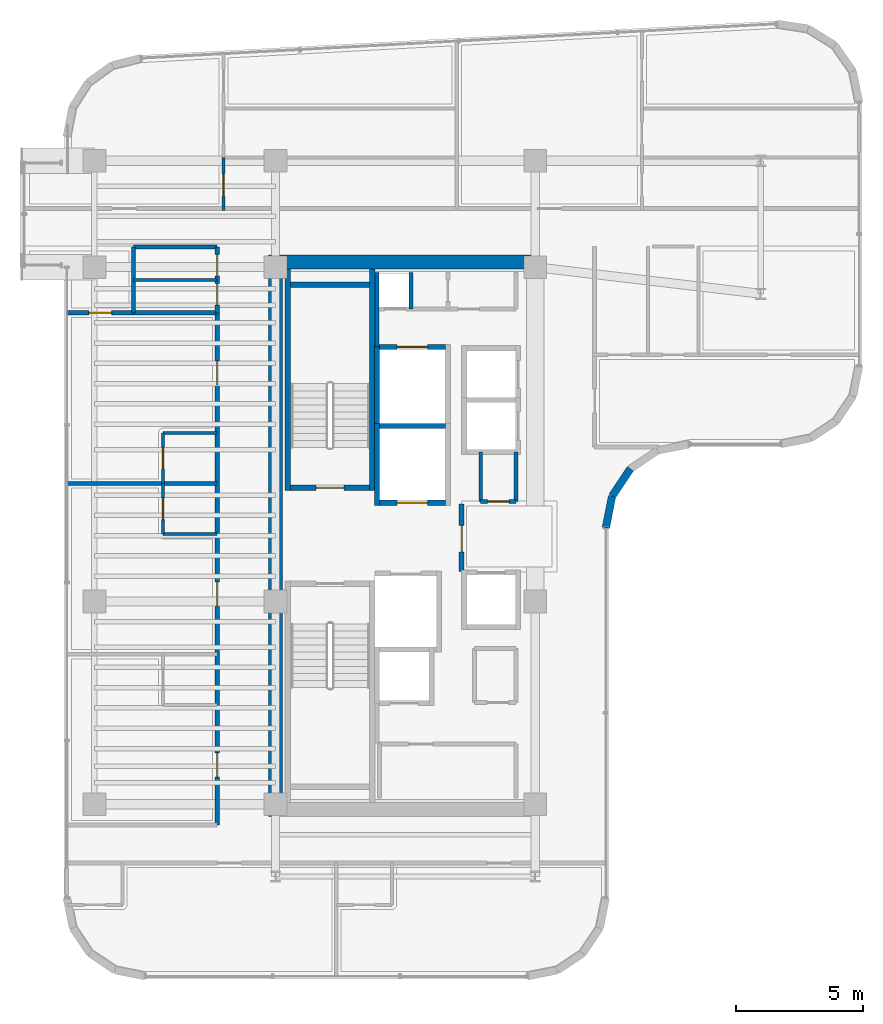
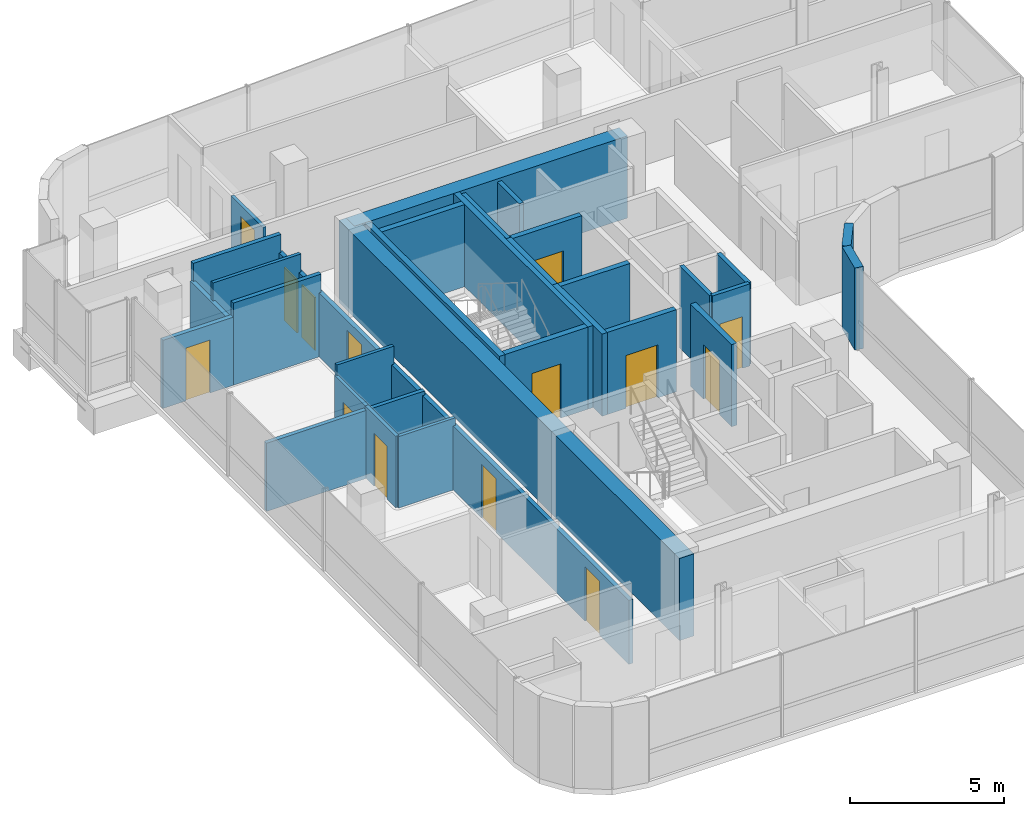
# One storey, part 18 of 23: 32 walls, 14 doors, 14 openings.
"""IFC4 building model written with IfcOpenShell, lengths in metres."""

import ifcopenshell
import ifcopenshell.guid

model = None  # the IFC model being written
_history = None  # IfcOwnerHistory: only IFC2X3 demands one
_inside = {}  # id of a spatial element -> (the spatial element, [elements in it])
_under = {}  # id of a project, library or spatial element -> (it, [spatial elements below it])
_declared = {}  # id of a project -> (the project, [libraries it declares])
_typed = {}  # id of a type object -> (the type object, [elements of that type])
_made_of = {}  # id of a material, layer set ... -> (it, [elements and type objects made of it])


def new_model(schema):
    """Start an empty IFC model of exactly this schema.

    Asked for "IFC4X3", IfcOpenShell would pick the latest addendum, in which some entities
    have other attributes; the version numbers below select the first issue.
    IFC2X3 requires an IfcOwnerHistory on every rooted entity: one is made here for all.
    """
    global model, _history
    if schema == "IFC4X3":
        model = ifcopenshell.file(schema_version=(4, 3, 0, 0))
    else:
        model = ifcopenshell.file(schema=schema)
    _inside.clear()
    _under.clear()
    _declared.clear()
    _typed.clear()
    _made_of.clear()
    _history = None
    if model.schema == "IFC2X3":
        org = make("IfcOrganization", Name="unknown")
        user = make(
            "IfcPersonAndOrganization",
            ThePerson=make("IfcPerson", FamilyName="unknown"),
            TheOrganization=org,
        )
        app = make(
            "IfcApplication",
            ApplicationDeveloper=org,
            Version="unknown",
            ApplicationFullName="unknown",
            ApplicationIdentifier="unknown",
        )
        _history = make(
            "IfcOwnerHistory",
            OwningUser=user,
            OwningApplication=app,
            ChangeAction="ADDED",
            CreationDate=0,
        )
    return model


def make(cls, **values):
    """One entity of the class cls with the attributes given. An attribute that is None is left unset."""
    return model.create_entity(
        cls, **{name: value for name, value in values.items() if value is not None}
    )


def rooted(cls, **values):
    """An entity with a GlobalId (a new one), such as an element, a storey or a relation."""
    return make(cls, GlobalId=ifcopenshell.guid.new(), OwnerHistory=_history, **values)


def si_unit(unit_type, name, prefix=None):
    """IfcSIUnit, for example si_unit("LENGTHUNIT", "METRE", prefix="MILLI")."""
    return make("IfcSIUnit", UnitType=unit_type, Prefix=prefix, Name=name)


def assignment(units):
    """IfcUnitAssignment: the units of a project."""
    return None if units is None else make("IfcUnitAssignment", Units=units)


def point(xyz):
    """IfcCartesianPoint."""
    return None if xyz is None else make("IfcCartesianPoint", Coordinates=xyz)


def direction(xyz):
    """IfcDirection."""
    return None if xyz is None else make("IfcDirection", DirectionRatios=xyz)


def frame(location, z_axis=None, x_axis=None):
    """IfcAxis2Placement3D, a coordinate frame: its origin and axes. An axis left out is left unset."""
    return make(
        "IfcAxis2Placement3D",
        Location=point(location),
        Axis=direction(z_axis),
        RefDirection=direction(x_axis),
    )


def frame_2d(location, x_axis=None):
    """IfcAxis2Placement2D, a coordinate frame in the plane: its origin and x axis."""
    return make(
        "IfcAxis2Placement2D", Location=point(location), RefDirection=direction(x_axis)
    )


def origin():
    """The frame at (0, 0, 0) with its axes left unset."""
    return frame((0.0, 0.0, 0.0))


def place(relative_to, where):
    """IfcLocalPlacement: puts the frame where relative to a parent placement (None: the world)."""
    return make(
        "IfcLocalPlacement", PlacementRelTo=relative_to, RelativePlacement=where
    )


def context(
    kind, dimensions, precision=None, world=None, true_north=None, identifier=None
):
    """IfcGeometricRepresentationContext, for example the 3D "Model" context."""
    return make(
        "IfcGeometricRepresentationContext",
        ContextIdentifier=identifier,
        ContextType=kind,
        CoordinateSpaceDimension=dimensions,
        Precision=precision,
        WorldCoordinateSystem=world,
        TrueNorth=true_north,
    )


def subcontext(parent, identifier, kind, view, scale=None):
    """IfcGeometricRepresentationSubContext, for example "Body" below "Model"."""
    return make(
        "IfcGeometricRepresentationSubContext",
        ContextIdentifier=identifier,
        ContextType=kind,
        ParentContext=parent,
        TargetScale=scale,
        TargetView=view,
    )


def project(units=None, contexts=None):
    """IfcProject with its units and contexts."""
    return rooted(
        "IfcProject",
        Name="project",
        RepresentationContexts=contexts,
        UnitsInContext=assignment(units),
    )


def spatial(cls, under=None, at=None, **own):
    """A site, building, storey or space (cls), placed at a placement, below another one or the project."""
    s = rooted(cls, ObjectPlacement=at, **own)
    if under is not None:
        _under.setdefault(under.id(), (under, []))[1].append(s)
    return s


def profile(cls, at=None, kind="AREA", **sizes):
    """A parametric profile (cls). Its sizes go by their IFC names, for example OverallWidth=200.0."""
    return make(cls, ProfileType=kind, Position=at, **sizes)


def rectangle(**sizes):
    """IfcRectangleProfileDef."""
    return profile("IfcRectangleProfileDef", **sizes)


def extrude(swept, where, along, depth):
    """IfcExtrudedAreaSolid: the profile swept, set in the frame where, extruded along a direction by depth."""
    return make(
        "IfcExtrudedAreaSolid",
        SweptArea=swept,
        Position=where,
        ExtrudedDirection=direction(along),
        Depth=depth,
    )


def shape(context_of_items, identifier, shape_type, items):
    """IfcShapeRepresentation: the items that make up one representation, for example the "Body"."""
    return make(
        "IfcShapeRepresentation",
        ContextOfItems=context_of_items,
        RepresentationIdentifier=identifier,
        RepresentationType=shape_type,
        Items=items,
    )


def material(Name=None, Category=None):
    """IfcMaterial."""
    return make("IfcMaterial", Name=Name, Category=Category)


def layer(
    of_material, thickness, ventilated=None, Name=None, Category=None, Priority=None
):
    """IfcMaterialLayer: one layer of a wall or slab, of a material (None: an air gap)."""
    return make(
        "IfcMaterialLayer",
        Material=of_material,
        LayerThickness=thickness,
        IsVentilated=ventilated,
        Name=Name,
        Category=Category,
        Priority=Priority,
    )


def layer_set(layers, Name=None):
    """IfcMaterialLayerSet."""
    return make("IfcMaterialLayerSet", MaterialLayers=layers, LayerSetName=Name)


def made_of(thing, what):
    """Note that an element or type object is made of a material, layer set ...; save() writes the relation."""
    if what is not None:
        _made_of.setdefault(what.id(), (what, []))[1].append(thing)
    return thing


def type_object(cls, material=None, **own):
    """A type object (cls), such as IfcWallType, which elements share."""
    return made_of(rooted(cls, **own), material)


def element(
    cls,
    number,
    at=None,
    inside=None,
    cuts=None,
    type_object=None,
    material=None,
    context=None,
    identifier="Body",
    shape_type=None,
    held_by="IfcProductDefinitionShape",
    body=None,
    shapes=None,
    **own,
):
    """One element of the class cls, such as IfcWall. Its Tag is "e" and its number.

    at: its placement. inside: the storey or other place that contains it. cuts: it is an
    opening in that element (IfcRelVoidsElement). A single representation is given by context,
    identifier, shape_type and body (its items); several are given by shapes. held_by: the class
    of the entity that holds the representations. save() writes the other relations.
    """
    e = rooted(cls, Tag="e%d" % number, ObjectPlacement=at, **own)
    if body is not None:
        shapes = [shape(context, identifier, shape_type, body)]
    if shapes is not None:
        e.Representation = make(held_by, Representations=shapes)
    if inside is not None:
        _inside.setdefault(inside.id(), (inside, []))[1].append(e)
    if cuts is not None:
        rooted(
            "IfcRelVoidsElement", RelatingBuildingElement=cuts, RelatedOpeningElement=e
        )
    if type_object is not None:
        _typed.setdefault(type_object.id(), (type_object, []))[1].append(e)
    return made_of(e, material)


def fill(opening, filler):
    """IfcRelFillsElement: the door or window that sits in an opening."""
    return rooted(
        "IfcRelFillsElement",
        RelatingOpeningElement=opening,
        RelatedBuildingElement=filler,
    )


def aggregate(whole, parts):
    """IfcRelAggregates: a whole, such as a stair, and the parts it consists of."""
    return rooted("IfcRelAggregates", RelatingObject=whole, RelatedObjects=parts)


def save(model, path):
    """Write the relations noted so far, then the file.

    IfcRelAggregates (storeys below a building ...), IfcRelContainedInSpatialStructure (elements
    in a storey), IfcRelDefinesByType, IfcRelAssociatesMaterial and IfcRelDeclares: one each for
    every whole, place, type object, material and project.
    """
    for whole, parts in _under.values():
        aggregate(whole, parts)
    for where, things in _inside.values():
        rooted(
            "IfcRelContainedInSpatialStructure",
            RelatedElements=things,
            RelatingStructure=where,
        )
    for kind, things in _typed.values():
        rooted("IfcRelDefinesByType", RelatedObjects=things, RelatingType=kind)
    for what, things in _made_of.values():
        rooted("IfcRelAssociatesMaterial", RelatedObjects=things, RelatingMaterial=what)
    for by, libraries in _declared.values():
        rooted("IfcRelDeclares", RelatingContext=by, RelatedDefinitions=libraries)
    model.write(path)


model = new_model("IFC4")

# Units and contexts
model_context = context("Model", 3, precision=1e-05, world=origin(), true_north=direction((0.0, 1.0)))
body_context = subcontext(model_context, "Body", "Model", "MODEL_VIEW")
ifc_project = project(units=[si_unit("LENGTHUNIT", "METRE"), si_unit("AREAUNIT", "SQUARE_METRE"), si_unit("VOLUMEUNIT", "CUBIC_METRE"), si_unit("PLANEANGLEUNIT", "RADIAN"), si_unit("MASSUNIT", "GRAM", prefix="KILO")], contexts=[model_context])

# Site, building, storey
site_placement = place(None, origin())
site = spatial("IfcSite", under=ifc_project, at=site_placement, CompositionType="ELEMENT")
building_placement = place(site_placement, origin())
building = spatial("IfcBuilding", under=site, at=building_placement, Name="Valdorenza Pilgrim Sanctuary Tower", CompositionType="ELEMENT")
storey_placement = place(building_placement, frame((0.0, 0.0, 226.5)))
storey = spatial("IfcBuildingStorey", under=building, at=storey_placement, Name="L58", CompositionType="ELEMENT", Elevation=226.5)

# Walls
ifc_material_1 = material(Name="Acoustic twin-stud gypsum partition", Category="gypsum")
ifc_layer_1 = layer(ifc_material_1, 0.159912109375, Name="Acoustic twin-stud gypsum partition")
ifc_layer_set_1 = layer_set([ifc_layer_1], Name="Acoustic twin-stud gypsum partition")
wall_type_1 = type_object("IfcWallType", Name="WAL-COR-160", PredefinedType="PARTITIONING", material=ifc_layer_set_1)
wall_1_placement = place(storey_placement, frame((-18.64990234375, 7.449951171875, 0.0), z_axis=(0.0, 0.0, 1.0), x_axis=(0.0, 1.0, 0.0)))
element("IfcWall", 1, at=wall_1_placement, inside=storey, type_object=wall_type_1, Name="L58 Core A North Service West Wall", PredefinedType="PARTITIONING", context=body_context, shape_type="SweptSolid", body=[
    extrude(rectangle(XDim=2.929931640625, YDim=0.159912109375, at=frame_2d((1.46484375, 0.0))), origin(), (0.0, 0.0, 1.0), 3.260009765625),
])
wall_2_placement = place(storey_placement, frame((-17.300048828125, 8.949951171875, 0.0), z_axis=(0.0, 0.0, 1.0), x_axis=(0.0, 1.0, 0.0)))
element("IfcWall", 2, at=wall_2_placement, inside=storey, type_object=wall_type_1, Name="L58 Core Electrical Riser Wall", PredefinedType="PARTITIONING", context=body_context, shape_type="SweptSolid", body=[
    extrude(rectangle(XDim=1.429931640625, YDim=0.159912109375, at=frame_2d((0.71484375, 0.0))), origin(), (0.0, 0.0, 1.0), 3.260009765625),
])
wall_3_placement = place(storey_placement, frame((-13.14990234375, 1.35009765625, 0.0), z_axis=(0.0, 0.0, 1.0), x_axis=(0.0, 1.0, 0.0)))
element("IfcWall", 3, at=wall_3_placement, inside=storey, type_object=wall_type_1, Name="L58 Freed Shaft 6 East Wall", PredefinedType="PARTITIONING", context=body_context, shape_type="SweptSolid", body=[
    extrude(rectangle(XDim=1.949951171875, YDim=0.159912109375, at=frame_2d((0.97509765625, 0.0))), origin(), (0.0, 0.0, 1.0), 3.260009765625),
])
wall_4_placement = place(storey_placement, frame((-28.25, 8.800048828125, 0.0), z_axis=(0.0, 0.0, 1.0), x_axis=(0.0, 1.0, 0.0)))
element("IfcWall", 4, at=wall_4_placement, inside=storey, type_object=wall_type_1, Name="L58 Washroom West Wall", PredefinedType="PARTITIONING", context=body_context, shape_type="SweptSolid", body=[
    extrude(rectangle(XDim=2.599853515625, YDim=0.159912109375, at=frame_2d((1.2998046875, 0.0))), origin(), (0.0, 0.0, 1.0), 2.5439453125),
])

# Wall, openings, doors
wall_5_placement = place(storey_placement, frame((-24.949951171875, 8.800048828125, 0.0), z_axis=(0.0, 0.0, 1.0), x_axis=(0.0, 1.0, 0.0)))
wall_5 = element("IfcWall", 5, at=wall_5_placement, inside=storey, type_object=wall_type_1, Name="L58 Washroom East Wall", PredefinedType="PARTITIONING", context=body_context, shape_type="SweptSolid", body=[
    extrude(rectangle(XDim=2.599853515625, YDim=0.159912109375, at=frame_2d((1.2998046875, 0.0))), origin(), (0.0, 0.0, 1.0), 2.5439453125),
])
opening_1_placement = place(wall_5_placement, frame((0.300048828125, 0.0, 0.0)))
opening_1 = element("IfcOpeningElement", 6, at=opening_1_placement, cuts=wall_5, Name="Opening DR-WC1", PredefinedType="OPENING", context=body_context, shape_type="SweptSolid", body=[
    extrude(rectangle(XDim=0.85009765625, YDim=2.10009765625, at=frame_2d((0.425048828125, 1.050048828125))), frame((0.0, 0.0947265625, 0.0), z_axis=(0.0, -1.0, 0.0), x_axis=(1.0, 0.0, 0.0)), (0.0, 0.0, 1.0), 0.189697265625),
])
opening_2_placement = place(wall_5_placement, frame((1.449951171875, 0.0, 0.0)))
opening_2 = element("IfcOpeningElement", 7, at=opening_2_placement, cuts=wall_5, Name="Opening DR-WC1", PredefinedType="OPENING", context=body_context, shape_type="SweptSolid", body=[
    extrude(rectangle(XDim=0.85009765625, YDim=2.10009765625, at=frame_2d((0.425048828125, 1.050048828125))), frame((0.0, 0.0947265625, 0.0), z_axis=(0.0, -1.0, 0.0), x_axis=(1.0, 0.0, 0.0)), (0.0, 0.0, 1.0), 0.189697265625),
])
ifc_material_2 = material(Name="Moisture-resistant lacquered timber", Category="wood")
door_type_1 = type_object("IfcDoorType", Name="DR-BATH-850", OperationType="NOTDEFINED", PredefinedType="DOOR", material=ifc_material_2)
door_1_placement = place(opening_1_placement, origin())
door_1 = element("IfcDoor", 8, at=door_1_placement, inside=storey, type_object=door_type_1, Name="L58 Accessible Washroom Door", OperationType="SINGLE_SWING_LEFT", OverallHeight=2.10009765625, OverallWidth=0.85009765625, PredefinedType="DOOR", context=body_context, shape_type="SweptSolid", body=[
    extrude(rectangle(XDim=0.85009765625, YDim=2.10009765625, at=frame_2d((0.425048828125, 1.050048828125))), frame((0.0, 0.02490234375, 0.0), z_axis=(0.0, -1.0, 0.0), x_axis=(1.0, 0.0, 0.0)), (0.0, 0.0, 1.0), 0.050048828125),
])
fill(opening_1, door_1)
door_2_placement = place(opening_2_placement, origin())
door_2 = element("IfcDoor", 9, at=door_2_placement, inside=storey, type_object=door_type_1, Name="L58 Public Washroom Door", OperationType="SINGLE_SWING_RIGHT", OverallHeight=2.10009765625, OverallWidth=0.85009765625, PredefinedType="DOOR", context=body_context, shape_type="SweptSolid", body=[
    extrude(rectangle(XDim=0.85009765625, YDim=2.10009765625, at=frame_2d((0.425048828125, 1.050048828125))), frame((0.0, 0.02490234375, 0.0), z_axis=(0.0, -1.0, 0.0), x_axis=(1.0, 0.0, 0.0)), (0.0, 0.0, 1.0), 0.050048828125),
])
fill(opening_2, door_2)

# Walls
for number, where, z_axis, x_axis, name in (
    (10, (-28.25, 8.800048828125, 0.0), (0.0, 0.0, 1.0), (1.0, 0.0, 0.0), "L58 Washroom South Wall"),
    (11, (-28.25, 11.39990234375, 0.0), (0.0, 0.0, 1.0), (1.0, 0.0, 0.0), "L58 Washroom North Wall"),
):
    element("IfcWall", number, at=place(storey_placement, frame(where, z_axis=z_axis, x_axis=x_axis)), inside=storey, type_object=wall_type_1, Name=name, PredefinedType="PARTITIONING", context=body_context, shape_type="SweptSolid", body=[
        extrude(rectangle(XDim=3.300048828125, YDim=0.159912109375, at=frame_2d((1.64990234375, 0.0))), origin(), (0.0, 0.0, 1.0), 3.260009765625),
    ])

# Wall, openings, doors
wall_6_placement = place(storey_placement, frame((-24.949951171875, -11.419921875, 0.0), z_axis=(0.0, 0.0, 1.0), x_axis=(0.0, 1.0, 0.0)))
wall_6 = element("IfcWall", 12, at=wall_6_placement, inside=storey, type_object=wall_type_1, Name="L58 West Wing Corridor Wall", PredefinedType="PARTITIONING", context=body_context, shape_type="SweptSolid", body=[
    extrude(rectangle(XDim=20.219970703125, YDim=0.159912109375, at=frame_2d((10.10986328125, 0.0))), origin(), (0.0, 0.0, 1.0), 2.5439453125),
])
opening_3_placement = place(wall_6_placement, frame((1.89501953125, 0.0, 0.0)))
opening_3 = element("IfcOpeningElement", 13, at=opening_3_placement, cuts=wall_6, Name="Opening DR-UN1", PredefinedType="OPENING", context=body_context, shape_type="SweptSolid", body=[
    extrude(rectangle(XDim=0.949951171875, YDim=2.14990234375, at=frame_2d((0.47509765625, 1.074951171875))), frame((0.0, 0.0947265625, 0.0), z_axis=(0.0, -1.0, 0.0), x_axis=(1.0, 0.0, 0.0)), (0.0, 0.0, 1.0), 0.189697265625),
])
opening_4_placement = place(wall_6_placement, frame((8.635009765625, 0.0, 0.0)))
opening_4 = element("IfcOpeningElement", 14, at=opening_4_placement, cuts=wall_6, Name="Opening DR-UN1", PredefinedType="OPENING", context=body_context, shape_type="SweptSolid", body=[
    extrude(rectangle(XDim=0.949951171875, YDim=2.14990234375, at=frame_2d((0.47509765625, 1.074951171875))), frame((0.0, 0.0947265625, 0.0), z_axis=(0.0, -1.0, 0.0), x_axis=(1.0, 0.0, 0.0)), (0.0, 0.0, 1.0), 0.189697265625),
])
opening_5_placement = place(wall_6_placement, frame((17.375, 0.0, 0.0)))
opening_5 = element("IfcOpeningElement", 15, at=opening_5_placement, cuts=wall_6, Name="Opening DR-UN1", PredefinedType="OPENING", context=body_context, shape_type="SweptSolid", body=[
    extrude(rectangle(XDim=0.949951171875, YDim=2.14990234375, at=frame_2d((0.47509765625, 1.074951171875))), frame((0.0, 0.0947265625, 0.0), z_axis=(0.0, -1.0, 0.0), x_axis=(1.0, 0.0, 0.0)), (0.0, 0.0, 1.0), 0.189697265625),
])
ifc_material_3 = material(Name="Solid-core European oak timber", Category="wood")
door_type_2 = type_object("IfcDoorType", Name="DR-UNIT-950", OperationType="NOTDEFINED", PredefinedType="DOOR", material=ifc_material_3)
door_3_placement = place(opening_3_placement, origin())
door_3 = element("IfcDoor", 16, at=door_3_placement, inside=storey, type_object=door_type_2, Name="L58 Sanctuary Guest Room L58-W1 Entrance Door", OperationType="SINGLE_SWING_RIGHT", OverallHeight=2.14990234375, OverallWidth=0.949951171875, PredefinedType="DOOR", context=body_context, shape_type="SweptSolid", body=[
    extrude(rectangle(XDim=0.949951171875, YDim=2.14990234375, at=frame_2d((0.47509765625, 1.074951171875))), frame((0.0, 0.02490234375, 0.0), z_axis=(0.0, -1.0, 0.0), x_axis=(1.0, 0.0, 0.0)), (0.0, 0.0, 1.0), 0.050048828125),
])
fill(opening_3, door_3)
door_4_placement = place(opening_4_placement, origin())
door_4 = element("IfcDoor", 17, at=door_4_placement, inside=storey, type_object=door_type_2, Name="L58 Sanctuary Guest Room L58-W2 Entrance Door", OperationType="SINGLE_SWING_RIGHT", OverallHeight=2.14990234375, OverallWidth=0.949951171875, PredefinedType="DOOR", context=body_context, shape_type="SweptSolid", body=[
    extrude(rectangle(XDim=0.949951171875, YDim=2.14990234375, at=frame_2d((0.47509765625, 1.074951171875))), frame((0.0, 0.02490234375, 0.0), z_axis=(0.0, -1.0, 0.0), x_axis=(1.0, 0.0, 0.0)), (0.0, 0.0, 1.0), 0.050048828125),
])
fill(opening_4, door_4)
door_5_placement = place(opening_5_placement, origin())
door_5 = element("IfcDoor", 18, at=door_5_placement, inside=storey, type_object=door_type_2, Name="L58 Sanctuary Guest Room L58-W3 Entrance Door", OperationType="SINGLE_SWING_RIGHT", OverallHeight=2.14990234375, OverallWidth=0.949951171875, PredefinedType="DOOR", context=body_context, shape_type="SweptSolid", body=[
    extrude(rectangle(XDim=0.949951171875, YDim=2.14990234375, at=frame_2d((0.47509765625, 1.074951171875))), frame((0.0, 0.02490234375, 0.0), z_axis=(0.0, -1.0, 0.0), x_axis=(1.0, 0.0, 0.0)), (0.0, 0.0, 1.0), 0.050048828125),
])
fill(opening_5, door_5)

# Wall, opening, door
wall_7_placement = place(storey_placement, frame((-30.889892578125, 8.800048828125, 0.0), z_axis=(0.0, 0.0, 1.0), x_axis=(1.0, 0.0, 0.0)))
wall_7 = element("IfcWall", 19, at=wall_7_placement, inside=storey, type_object=wall_type_1, Name="L58 West North Alcove Wall", PredefinedType="PARTITIONING", context=body_context, shape_type="SweptSolid", body=[
    extrude(rectangle(XDim=2.639892578125, YDim=0.159912109375, at=frame_2d((1.31982421875, 0.0))), origin(), (0.0, 0.0, 1.0), 2.7060546875),
])
opening_6_placement = place(wall_7_placement, frame((0.8701171875, 0.0, 0.0)))
opening_6 = element("IfcOpeningElement", 20, at=opening_6_placement, cuts=wall_7, Name="Opening DR-RM1", PredefinedType="OPENING", context=body_context, shape_type="SweptSolid", body=[
    extrude(rectangle(XDim=0.89990234375, YDim=2.10009765625, at=frame_2d((0.449951171875, 1.050048828125))), frame((0.0, 0.0947265625, 0.0), z_axis=(0.0, -1.0, 0.0), x_axis=(1.0, 0.0, 0.0)), (0.0, 0.0, 1.0), 0.189697265625),
])
door_type_3 = type_object("IfcDoorType", Name="DR-ROOM-900", OperationType="NOTDEFINED", PredefinedType="DOOR", material=ifc_material_3)
door_6_placement = place(opening_6_placement, frame((0.89990234375, 0.0, 0.0), z_axis=(0.0, 0.0, 1.0), x_axis=(-1.0, 0.0, 0.0)))
door_6 = element("IfcDoor", 21, at=door_6_placement, inside=storey, type_object=door_type_3, Name="L58 Pilgrim Scholar Office L58-WN Door", OperationType="SINGLE_SWING_LEFT", OverallHeight=2.10009765625, OverallWidth=0.89990234375, PredefinedType="DOOR", context=body_context, shape_type="SweptSolid", body=[
    extrude(rectangle(XDim=0.89990234375, YDim=2.10009765625, at=frame_2d((0.449951171875, 1.050048828125))), frame((0.0, 0.02490234375, 0.0), z_axis=(0.0, -1.0, 0.0), x_axis=(1.0, 0.0, 0.0)), (0.0, 0.0, 1.0), 0.050048828125),
])
fill(opening_6, door_6)

# Walls
ifc_material_4 = material(Name="Concrete C50/60", Category="concrete")
ifc_layer_2 = layer(ifc_material_4, 0.550048828125, Name="Concrete C50/60")
ifc_layer_set_2 = layer_set([ifc_layer_2], Name="Concrete C50/60")
wall_type_2 = type_object("IfcWallType", Name="WAL-COR-550", PredefinedType="SHEAR", material=ifc_layer_set_2)
wall_8_placement = place(storey_placement, frame((-22.64990234375, -11.074951171875, 0.0), z_axis=(0.0, 0.0, 1.0), x_axis=(0.0, 1.0, 0.0)))
element("IfcWall", 22, at=wall_8_placement, inside=storey, type_object=wall_type_2, Name="L58 Split Core A Shear Wall W", PredefinedType="SHEAR", context=body_context, shape_type="SweptSolid", body=[
    extrude(rectangle(XDim=22.14990234375, YDim=0.550048828125, at=frame_2d((11.074951171875, 0.0))), origin(), (0.0, 0.0, 1.0), 3.260009765625),
])
wall_9_placement = place(storey_placement, frame((-22.64990234375, 10.800048828125, 0.0), z_axis=(0.0, 0.0, 1.0), x_axis=(1.0, 0.0, 0.0)))
element("IfcWall", 23, at=wall_9_placement, inside=storey, type_object=wall_type_2, Name="L58 Split Core A Shear Wall N", PredefinedType="SHEAR", context=body_context, shape_type="SweptSolid", body=[
    extrude(rectangle(XDim=10.25, YDim=0.550048828125, at=frame_2d((5.125, 0.0))), origin(), (0.0, 0.0, 1.0), 3.260009765625),
])
ifc_material_5 = material(Name="Honed travertine limestone", Category="masonry")
ifc_layer_3 = layer(ifc_material_5, 0.300048828125, Name="Honed travertine limestone")
ifc_layer_set_3 = layer_set([ifc_layer_3], Name="Honed travertine limestone")
wall_type_3 = type_object("IfcWallType", Name="WAL-EXT-300", PredefinedType="SOLIDWALL", material=ifc_layer_set_3)
wall_10_placement = place(storey_placement, frame((-8.64208984375, 2.64208984375, 0.0), z_axis=(0.0, 0.0, 1.0), x_axis=(-0.555528135371, -0.831497739511, 0.0)))
element("IfcWall", 24, at=wall_10_placement, inside=storey, type_object=wall_type_3, Name="L58 Rounded Wind-Corner Stone Pier 19", PredefinedType="SOLIDWALL", context=body_context, shape_type="SweptSolid", body=[
    extrude(rectangle(XDim=1.29248046875, YDim=0.300048828125, at=frame_2d((0.646240234375, 0.0))), origin(), (0.0, 0.0, 1.0), 3.260009765625),
])
wall_11_placement = place(storey_placement, frame((-9.360107421875, 1.5673828125, 0.0), z_axis=(0.0, 0.0, 1.0), x_axis=(-0.195126623715, -0.980778058848, 0.0)))
element("IfcWall", 25, at=wall_11_placement, inside=storey, type_object=wall_type_3, Name="L58 Rounded Wind-Corner Stone Pier 20", PredefinedType="SOLIDWALL", context=body_context, shape_type="SweptSolid", body=[
    extrude(rectangle(XDim=1.28125, YDim=0.300048828125, at=frame_2d((0.640625, 0.0))), origin(), (0.0, 0.0, 1.0), 3.260009765625),
])

# Wall, opening, door
ifc_material_6 = material(Name="Gypsum shaftwall partition", Category="gypsum")
ifc_layer_4 = layer(ifc_material_6, 0.199951171875, Name="Gypsum shaftwall partition")
ifc_layer_set_4 = layer_set([ifc_layer_4], Name="Gypsum shaftwall partition")
wall_type_4 = type_object("IfcWallType", Name="WAL-FFL-200", PredefinedType="PARTITIONING", material=ifc_layer_set_4)
wall_12_placement = place(storey_placement, frame((-15.300048828125, -1.419921875, 0.0), z_axis=(0.0, 0.0, 1.0), x_axis=(0.0, 1.0, 0.0)))
wall_12 = element("IfcWall", 26, at=wall_12_placement, inside=storey, type_object=wall_type_4, Name="L58 Core A Firefighting Lobby East Wall", PredefinedType="PARTITIONING", context=body_context, shape_type="SweptSolid", body=[
    extrude(rectangle(XDim=2.669921875, YDim=0.199951171875, at=frame_2d((1.3349609375, 0.0))), origin(), (0.0, 0.0, 1.0), 3.260009765625),
])
opening_7_placement = place(wall_12_placement, frame((0.780029296875, 0.0, 0.0)))
opening_7 = element("IfcOpeningElement", 27, at=opening_7_placement, cuts=wall_12, Name="Opening DR-FL1", PredefinedType="OPENING", context=body_context, shape_type="SweptSolid", body=[
    extrude(rectangle(XDim=1.050048828125, YDim=2.14990234375, at=frame_2d((0.52490234375, 1.074951171875))), frame((0.0, 0.11474609375, 0.0), z_axis=(0.0, -1.0, 0.0), x_axis=(1.0, 0.0, 0.0)), (0.0, 0.0, 1.0), 0.229736328125),
])
ifc_material_7 = material(Name="Painted galvanized steel", Category="steel")
door_type_4 = type_object("IfcDoorType", Name="DR-FFL-1050", OperationType="NOTDEFINED", PredefinedType="DOOR", material=ifc_material_7)
door_7_placement = place(opening_7_placement, origin())
door_7 = element("IfcDoor", 28, at=door_7_placement, inside=storey, type_object=door_type_4, Name="L58 Core A Firefighting Lobby Door", OperationType="SINGLE_SWING_RIGHT", OverallHeight=2.14990234375, OverallWidth=1.050048828125, PredefinedType="DOOR", context=body_context, shape_type="SweptSolid", body=[
    extrude(rectangle(XDim=1.050048828125, YDim=2.14990234375, at=frame_2d((0.52490234375, 1.074951171875))), frame((0.0, 0.02490234375, 0.0), z_axis=(0.0, -1.0, 0.0), x_axis=(1.0, 0.0, 0.0)), (0.0, 0.0, 1.0), 0.050048828125),
])
fill(opening_7, door_7)

# Walls
ifc_material_8 = material(Name="Moisture-resistant gypsum partition", Category="gypsum")
ifc_layer_5 = layer(ifc_material_8, 0.1201171875, Name="Moisture-resistant gypsum partition")
ifc_layer_set_5 = layer_set([ifc_layer_5], Name="Moisture-resistant gypsum partition")
wall_type_5 = type_object("IfcWallType", Name="WAL-INT-120", PredefinedType="PARTITIONING", material=ifc_layer_set_5)
wall_13_placement = place(storey_placement, frame((-28.25, 10.10009765625, 0.0), z_axis=(0.0, 0.0, 1.0), x_axis=(1.0, 0.0, 0.0)))
element("IfcWall", 29, at=wall_13_placement, inside=storey, type_object=wall_type_5, Name="L58 Washroom Divider Wall", PredefinedType="PARTITIONING", context=body_context, shape_type="SweptSolid", body=[
    extrude(rectangle(XDim=3.300048828125, YDim=0.1201171875, at=frame_2d((1.64990234375, 0.0))), origin(), (0.0, 0.0, 1.0), 3.260009765625),
])
wall_14_placement = place(storey_placement, frame((-27.087890625, 0.06005859375, 0.0), z_axis=(0.0, 0.0, 1.0), x_axis=(1.0, 0.0, 0.0)))
element("IfcWall", 30, at=wall_14_placement, inside=storey, type_object=wall_type_5, Name="L58 Sanctuary Guest Room L58-W2 En-suite South Wall", PredefinedType="PARTITIONING", context=body_context, shape_type="SweptSolid", body=[
    extrude(rectangle(XDim=2.137939453125, YDim=0.1201171875, at=frame_2d((1.06884765625, 0.0))), origin(), (0.0, 0.0, 1.0), 2.839111328125),
])

# Wall, opening, door
wall_15_placement = place(storey_placement, frame((-27.087890625, 0.06005859375, 0.0), z_axis=(0.0, 0.0, 1.0), x_axis=(0.0, 1.0, 0.0)))
wall_15 = element("IfcWall", 31, at=wall_15_placement, inside=storey, type_object=wall_type_5, Name="L58 Sanctuary Guest Room L58-W2 En-suite Door Wall", PredefinedType="PARTITIONING", context=body_context, shape_type="SweptSolid", body=[
    extrude(rectangle(XDim=2.0, YDim=0.1201171875, at=frame_2d((1.0, 0.0))), origin(), (0.0, 0.0, 1.0), 2.839111328125),
])
opening_8_placement = place(wall_15_placement, frame((0.574951171875, 0.0, 0.0)))
opening_8 = element("IfcOpeningElement", 32, at=opening_8_placement, cuts=wall_15, Name="Opening DR-WC1", PredefinedType="OPENING", context=body_context, shape_type="SweptSolid", body=[
    extrude(rectangle(XDim=0.85009765625, YDim=2.10009765625, at=frame_2d((0.425048828125, 1.050048828125))), frame((0.0, 0.074951171875, 0.0), z_axis=(0.0, -1.0, 0.0), x_axis=(1.0, 0.0, 0.0)), (0.0, 0.0, 1.0), 0.14990234375),
])
door_8_placement = place(opening_8_placement, origin())
door_8 = element("IfcDoor", 33, at=door_8_placement, inside=storey, type_object=door_type_1, Name="L58 Sanctuary Guest Room L58-W2 En-suite Bathroom Door", OperationType="SINGLE_SWING_LEFT", OverallHeight=2.10009765625, OverallWidth=0.85009765625, PredefinedType="DOOR", context=body_context, shape_type="SweptSolid", body=[
    extrude(rectangle(XDim=0.85009765625, YDim=2.10009765625, at=frame_2d((0.425048828125, 1.050048828125))), frame((0.0, 0.02490234375, 0.0), z_axis=(0.0, -1.0, 0.0), x_axis=(1.0, 0.0, 0.0)), (0.0, 0.0, 1.0), 0.050048828125),
])
fill(opening_8, door_8)

# Wall
wall_16_placement = place(storey_placement, frame((-27.087890625, 4.06005859375, 0.0), z_axis=(0.0, 0.0, 1.0), x_axis=(1.0, 0.0, 0.0)))
element("IfcWall", 34, at=wall_16_placement, inside=storey, type_object=wall_type_5, Name="L58 Sanctuary Guest Room L58-W3 En-suite North Wall", PredefinedType="PARTITIONING", context=body_context, shape_type="SweptSolid", body=[
    extrude(rectangle(XDim=2.137939453125, YDim=0.1201171875, at=frame_2d((1.06884765625, 0.0))), origin(), (0.0, 0.0, 1.0), 3.260009765625),
])

# Wall, opening, door
wall_17_placement = place(storey_placement, frame((-27.087890625, 2.06005859375, 0.0), z_axis=(0.0, 0.0, 1.0), x_axis=(0.0, 1.0, 0.0)))
wall_17 = element("IfcWall", 35, at=wall_17_placement, inside=storey, type_object=wall_type_5, Name="L58 Sanctuary Guest Room L58-W3 En-suite Door Wall", PredefinedType="PARTITIONING", context=body_context, shape_type="SweptSolid", body=[
    extrude(rectangle(XDim=2.0, YDim=0.1201171875, at=frame_2d((1.0, 0.0))), origin(), (0.0, 0.0, 1.0), 2.839111328125),
])
opening_9_placement = place(wall_17_placement, frame((0.574951171875, 0.0, 0.0)))
opening_9 = element("IfcOpeningElement", 36, at=opening_9_placement, cuts=wall_17, Name="Opening DR-WC1", PredefinedType="OPENING", context=body_context, shape_type="SweptSolid", body=[
    extrude(rectangle(XDim=0.85009765625, YDim=2.10009765625, at=frame_2d((0.425048828125, 1.050048828125))), frame((0.0, 0.074951171875, 0.0), z_axis=(0.0, -1.0, 0.0), x_axis=(1.0, 0.0, 0.0)), (0.0, 0.0, 1.0), 0.14990234375),
])
door_9_placement = place(opening_9_placement, origin())
door_9 = element("IfcDoor", 37, at=door_9_placement, inside=storey, type_object=door_type_1, Name="L58 Sanctuary Guest Room L58-W3 En-suite Bathroom Door", OperationType="SINGLE_SWING_LEFT", OverallHeight=2.10009765625, OverallWidth=0.85009765625, PredefinedType="DOOR", context=body_context, shape_type="SweptSolid", body=[
    extrude(rectangle(XDim=0.85009765625, YDim=2.10009765625, at=frame_2d((0.425048828125, 1.050048828125))), frame((0.0, 0.02490234375, 0.0), z_axis=(0.0, -1.0, 0.0), x_axis=(1.0, 0.0, 0.0)), (0.0, 0.0, 1.0), 0.050048828125),
])
fill(opening_9, door_9)

wall_18_placement = place(storey_placement, frame((-24.70166015625, 12.840087890625, 0.0), z_axis=(0.0, 0.0, 1.0), x_axis=(0.0, 1.0, 0.0)))
wall_18 = element("IfcWall", 38, at=wall_18_placement, inside=storey, type_object=wall_type_5, Name="L58 North Sanctuary Apartment L58-N1 Kitchen Door Wall", PredefinedType="PARTITIONING", context=body_context, shape_type="SweptSolid", body=[
    extrude(rectangle(XDim=2.079833984375, YDim=0.1201171875, at=frame_2d((1.0400390625, 0.0))), origin(), (0.0, 0.0, 1.0), 2.5439453125),
])
opening_10_placement = place(wall_18_placement, frame((0.550048828125, 0.0, 0.0)))
opening_10 = element("IfcOpeningElement", 39, at=opening_10_placement, cuts=wall_18, Name="Opening DR-RM1", PredefinedType="OPENING", context=body_context, shape_type="SweptSolid", body=[
    extrude(rectangle(XDim=0.89990234375, YDim=2.10009765625, at=frame_2d((0.449951171875, 1.050048828125))), frame((0.0, 0.074951171875, 0.0), z_axis=(0.0, -1.0, 0.0), x_axis=(1.0, 0.0, 0.0)), (0.0, 0.0, 1.0), 0.14990234375),
])
door_10_placement = place(opening_10_placement, origin())
door_10 = element("IfcDoor", 40, at=door_10_placement, inside=storey, type_object=door_type_3, Name="L58 North Sanctuary Apartment L58-N1 Kitchen Door", OperationType="SINGLE_SWING_RIGHT", OverallHeight=2.10009765625, OverallWidth=0.89990234375, PredefinedType="DOOR", context=body_context, shape_type="SweptSolid", body=[
    extrude(rectangle(XDim=0.89990234375, YDim=2.10009765625, at=frame_2d((0.449951171875, 1.050048828125))), frame((0.0, 0.02490234375, 0.0), z_axis=(0.0, -1.0, 0.0), x_axis=(1.0, 0.0, 0.0)), (0.0, 0.0, 1.0), 0.050048828125),
])
fill(opening_10, door_10)

# Wall
ifc_material_9 = material(Name="Autoclaved aerated concrete blockwork", Category="masonry")
ifc_layer_6 = layer(ifc_material_9, 0.199951171875, Name="Autoclaved aerated concrete blockwork")
ifc_layer_set_6 = layer_set([ifc_layer_6], Name="Autoclaved aerated concrete blockwork")
wall_type_6 = type_object("IfcWallType", Name="WAL-SHF-200", PredefinedType="MOVABLE", material=ifc_layer_set_6)
wall_19_placement = place(storey_placement, frame((-18.64990234375, 1.199951171875, 0.0), z_axis=(0.0, 0.0, 1.0), x_axis=(0.0, 1.0, 0.0)))
element("IfcWall", 41, at=wall_19_placement, inside=storey, type_object=wall_type_6, Name="L58 Lift FFL-01 Hoistway Wall West", PredefinedType="MOVABLE", context=body_context, shape_type="SweptSolid", body=[
    extrude(rectangle(XDim=3.22509765625, YDim=0.199951171875, at=frame_2d((1.612548828125, 0.0))), origin(), (0.0, 0.0, 1.0), 3.260009765625),
])

# Wall, opening, door
wall_20_placement = place(storey_placement, frame((-18.550048828125, 1.300048828125, 0.0), z_axis=(0.0, 0.0, 1.0), x_axis=(1.0, 0.0, 0.0)))
wall_20 = element("IfcWall", 42, at=wall_20_placement, inside=storey, type_object=wall_type_6, Name="L58 Lift FFL-01 Hoistway Wall South", PredefinedType="MOVABLE", context=body_context, shape_type="SweptSolid", body=[
    extrude(rectangle(XDim=2.60009765625, YDim=0.199951171875, at=frame_2d((1.300048828125, 0.0))), origin(), (0.0, 0.0, 1.0), 3.260009765625),
])
opening_11_placement = place(wall_20_placement, frame((0.699951171875, 0.0, 0.0)))
opening_11 = element("IfcOpeningElement", 43, at=opening_11_placement, cuts=wall_20, Name="Opening LD-02", PredefinedType="OPENING", context=body_context, shape_type="SweptSolid", body=[
    extrude(rectangle(XDim=1.199951171875, YDim=2.10009765625, at=frame_2d((0.60009765625, 1.050048828125))), frame((0.0, 0.11474609375, 0.0), z_axis=(0.0, -1.0, 0.0), x_axis=(1.0, 0.0, 0.0)), (0.0, 0.0, 1.0), 0.229736328125),
])
ifc_material_10 = material(Name="Brushed stainless steel Grade 316", Category="steel")
door_type_5 = type_object("IfcDoorType", Name="DR-LFT-1200", OperationType="DOUBLE_DOOR_SLIDING", PredefinedType="DOOR", material=ifc_material_10)
door_11_placement = place(opening_11_placement, origin())
door_11 = element("IfcDoor", 44, at=door_11_placement, inside=storey, type_object=door_type_5, Name="L58 Lift FFL-01 Sliding Landing Door", OperationType="DOUBLE_DOOR_SLIDING", OverallHeight=2.10009765625, OverallWidth=1.199951171875, PredefinedType="DOOR", context=body_context, shape_type="SweptSolid", body=[
    extrude(rectangle(XDim=1.199951171875, YDim=2.10009765625, at=frame_2d((0.60009765625, 1.050048828125))), frame((0.0, 0.02490234375, 0.0), z_axis=(0.0, -1.0, 0.0), x_axis=(1.0, 0.0, 0.0)), (0.0, 0.0, 1.0), 0.050048828125),
])
fill(opening_11, door_11)

# Walls
wall_21_placement = place(storey_placement, frame((-18.550048828125, 4.324951171875, 0.0), z_axis=(0.0, 0.0, 1.0), x_axis=(1.0, 0.0, 0.0)))
element("IfcWall", 45, at=wall_21_placement, inside=storey, type_object=wall_type_6, Name="L58 Lift FFL-01 Hoistway Wall North", PredefinedType="MOVABLE", context=body_context, shape_type="SweptSolid", body=[
    extrude(rectangle(XDim=2.60009765625, YDim=0.199951171875, at=frame_2d((1.300048828125, 0.0))), origin(), (0.0, 0.0, 1.0), 3.260009765625),
])
wall_22_placement = place(storey_placement, frame((-18.64990234375, 4.22509765625, 0.0), z_axis=(0.0, 0.0, 1.0), x_axis=(0.0, 1.0, 0.0)))
element("IfcWall", 46, at=wall_22_placement, inside=storey, type_object=wall_type_6, Name="L58 Lift SVL-01 Hoistway Wall West", PredefinedType="MOVABLE", context=body_context, shape_type="SweptSolid", body=[
    extrude(rectangle(XDim=3.324951171875, YDim=0.199951171875, at=frame_2d((1.66259765625, 0.0))), origin(), (0.0, 0.0, 1.0), 3.260009765625),
])

# Wall, opening, door
wall_23_placement = place(storey_placement, frame((-18.550048828125, 7.449951171875, 0.0), z_axis=(0.0, 0.0, 1.0), x_axis=(1.0, 0.0, 0.0)))
wall_23 = element("IfcWall", 47, at=wall_23_placement, inside=storey, type_object=wall_type_6, Name="L58 Lift SVL-01 Hoistway Wall North", PredefinedType="MOVABLE", context=body_context, shape_type="SweptSolid", body=[
    extrude(rectangle(XDim=2.60009765625, YDim=0.199951171875, at=frame_2d((1.300048828125, 0.0))), origin(), (0.0, 0.0, 1.0), 3.260009765625),
])
opening_12_placement = place(wall_23_placement, frame((0.699951171875, 0.0, 0.0)))
opening_12 = element("IfcOpeningElement", 48, at=opening_12_placement, cuts=wall_23, Name="Opening LD-02", PredefinedType="OPENING", context=body_context, shape_type="SweptSolid", body=[
    extrude(rectangle(XDim=1.199951171875, YDim=2.10009765625, at=frame_2d((0.60009765625, 1.050048828125))), frame((0.0, 0.11474609375, 0.0), z_axis=(0.0, -1.0, 0.0), x_axis=(1.0, 0.0, 0.0)), (0.0, 0.0, 1.0), 0.229736328125),
])
door_12_placement = place(opening_12_placement, origin())
door_12 = element("IfcDoor", 49, at=door_12_placement, inside=storey, type_object=door_type_5, Name="L58 Lift SVL-01 Sliding Landing Door", OperationType="DOUBLE_DOOR_SLIDING", OverallHeight=2.10009765625, OverallWidth=1.199951171875, PredefinedType="DOOR", context=body_context, shape_type="SweptSolid", body=[
    extrude(rectangle(XDim=1.199951171875, YDim=2.10009765625, at=frame_2d((0.60009765625, 1.050048828125))), frame((0.0, 0.02490234375, 0.0), z_axis=(0.0, -1.0, 0.0), x_axis=(1.0, 0.0, 0.0)), (0.0, 0.0, 1.0), 0.050048828125),
])
fill(opening_12, door_12)

# Walls
ifc_material_11 = material(Name="Concrete C40/50", Category="concrete")
ifc_layer_7 = layer(ifc_material_11, 0.219970703125, Name="Concrete C40/50")
ifc_layer_set_7 = layer_set([ifc_layer_7], Name="Concrete C40/50")
wall_type_7 = type_object("IfcWallType", Name="WAL-STR-SHF-220", PredefinedType="SHEAR", material=ifc_layer_set_7)
for number, where, z_axis, x_axis, name in (
    (50, (-22.159912109375, 1.780029296875, 0.0), (0.0, 0.0, 1.0), (0.0, 1.0, 0.0), "L58 ST-A1 Structural Stairwell Wall W"),
    (51, (-18.830078125, 1.780029296875, 0.0), (0.0, 0.0, 1.0), (0.0, 1.0, 0.0), "L58 ST-A1 Structural Stairwell Wall E"),
):
    element("IfcWall", number, at=place(storey_placement, frame(where, z_axis=z_axis, x_axis=x_axis)), inside=storey, type_object=wall_type_7, Name=name, PredefinedType="SHEAR", context=body_context, shape_type="SweptSolid", body=[
        extrude(rectangle(XDim=8.744873046875, YDim=0.219970703125, at=frame_2d((4.37255859375, 0.0))), origin(), (0.0, 0.0, 1.0), 3.260009765625),
    ])

# Wall, opening, door
wall_24_placement = place(storey_placement, frame((-22.050048828125, 1.889892578125, 0.0), z_axis=(0.0, 0.0, 1.0), x_axis=(1.0, 0.0, 0.0)))
wall_24 = element("IfcWall", 52, at=wall_24_placement, inside=storey, type_object=wall_type_7, Name="L58 ST-A1 Structural Stairwell Wall S", PredefinedType="SHEAR", context=body_context, shape_type="SweptSolid", body=[
    extrude(rectangle(XDim=3.110107421875, YDim=0.219970703125, at=frame_2d((1.55517578125, 0.0))), origin(), (0.0, 0.0, 1.0), 3.260009765625),
])
opening_13_placement = place(wall_24_placement, frame((1.0, 0.0, 0.0)))
opening_13 = element("IfcOpeningElement", 53, at=opening_13_placement, cuts=wall_24, Name="Opening DR-ST1", PredefinedType="OPENING", context=body_context, shape_type="SweptSolid", body=[
    extrude(rectangle(XDim=1.10009765625, YDim=2.14990234375, at=frame_2d((0.550048828125, 1.074951171875))), frame((0.0, 0.125, 0.0), z_axis=(0.0, -1.0, 0.0), x_axis=(1.0, 0.0, 0.0)), (0.0, 0.0, 1.0), 0.249755859375),
])
door_type_6 = type_object("IfcDoorType", Name="DR-STAIR-1100", OperationType="NOTDEFINED", PredefinedType="DOOR", material=ifc_material_7)
door_13_placement = place(opening_13_placement, frame((1.10009765625, 0.0, 0.0), z_axis=(0.0, 0.0, 1.0), x_axis=(-1.0, 0.0, 0.0)))
door_13 = element("IfcDoor", 54, at=door_13_placement, inside=storey, type_object=door_type_6, Name="L58 Exit Stair ST-A1 Door", OperationType="SINGLE_SWING_LEFT", OverallHeight=2.14990234375, OverallWidth=1.10009765625, PredefinedType="DOOR", context=body_context, shape_type="SweptSolid", body=[
    extrude(rectangle(XDim=1.10009765625, YDim=2.14990234375, at=frame_2d((0.550048828125, 1.074951171875))), frame((0.0, 0.02490234375, 0.0), z_axis=(0.0, -1.0, 0.0), x_axis=(1.0, 0.0, 0.0)), (0.0, 0.0, 1.0), 0.050048828125),
])
fill(opening_13, door_13)

# Walls
wall_25_placement = place(storey_placement, frame((-22.050048828125, 9.909912109375, 0.0), z_axis=(0.0, 0.0, 1.0), x_axis=(1.0, 0.0, 0.0)))
element("IfcWall", 55, at=wall_25_placement, inside=storey, type_object=wall_type_7, Name="L58 ST-A1 Structural Stairwell Wall N", PredefinedType="SHEAR", context=body_context, shape_type="SweptSolid", body=[
    extrude(rectangle(XDim=3.110107421875, YDim=0.219970703125, at=frame_2d((1.55517578125, 0.0))), origin(), (0.0, 0.0, 1.0), 3.260009765625),
])
ifc_layer_8 = layer(ifc_material_1, 0.14990234375, Name="Acoustic twin-stud gypsum partition")
ifc_layer_set_8 = layer_set([ifc_layer_8], Name="Acoustic twin-stud gypsum partition")
wall_type_8 = type_object("IfcWallType", Name="WAL-UNT-150", PredefinedType="PARTITIONING", material=ifc_layer_set_8)
wall_26_placement = place(storey_placement, frame((-14.550048828125, 1.35009765625, 0.0), z_axis=(0.0, 0.0, 1.0), x_axis=(0.0, 1.0, 0.0)))
element("IfcWall", 56, at=wall_26_placement, inside=storey, type_object=wall_type_8, Name="L58 Freed Shaft 6 West Wall", PredefinedType="PARTITIONING", context=body_context, shape_type="SweptSolid", body=[
    extrude(rectangle(XDim=1.949951171875, YDim=0.14990234375, at=frame_2d((0.97509765625, 0.0))), origin(), (0.0, 0.0, 1.0), 3.260009765625),
])

# Wall, opening, door
wall_27_placement = place(storey_placement, frame((-14.550048828125, 1.35009765625, 0.0), z_axis=(0.0, 0.0, 1.0), x_axis=(1.0, 0.0, 0.0)))
wall_27 = element("IfcWall", 57, at=wall_27_placement, inside=storey, type_object=wall_type_8, Name="L58 Freed Shaft 6 South Wall", PredefinedType="PARTITIONING", context=body_context, shape_type="SweptSolid", body=[
    extrude(rectangle(XDim=1.400146484375, YDim=0.14990234375, at=frame_2d((0.7001953125, 0.0))), origin(), (0.0, 0.0, 1.0), 3.260009765625),
])
opening_14_placement = place(wall_27_placement, frame((0.27490234375, 0.0, 0.0)))
opening_14 = element("IfcOpeningElement", 58, at=opening_14_placement, cuts=wall_27, Name="Opening DR-RS1", PredefinedType="OPENING", context=body_context, shape_type="SweptSolid", body=[
    extrude(rectangle(XDim=0.85009765625, YDim=2.050048828125, at=frame_2d((0.425048828125, 1.02490234375))), frame((0.0, 0.08984375, 0.0), z_axis=(0.0, -1.0, 0.0), x_axis=(1.0, 0.0, 0.0)), (0.0, 0.0, 1.0), 0.1796875),
])
door_type_7 = type_object("IfcDoorType", Name="DR-RSR-850", OperationType="NOTDEFINED", PredefinedType="DOOR", material=ifc_material_7)
door_14_placement = place(opening_14_placement, origin())
door_14 = element("IfcDoor", 59, at=door_14_placement, inside=storey, type_object=door_type_7, Name="L58 High-Rise Butler Pantry Door", OperationType="SINGLE_SWING_RIGHT", OverallHeight=2.050048828125, OverallWidth=0.85009765625, PredefinedType="DOOR", context=body_context, shape_type="SweptSolid", body=[
    extrude(rectangle(XDim=0.85009765625, YDim=2.050048828125, at=frame_2d((0.425048828125, 1.02490234375))), frame((0.0, 0.02490234375, 0.0), z_axis=(0.0, -1.0, 0.0), x_axis=(1.0, 0.0, 0.0)), (0.0, 0.0, 1.0), 0.050048828125),
])
fill(opening_14, door_14)

# Wall
wall_28_placement = place(storey_placement, frame((-30.889892578125, 2.06005859375, 0.0), z_axis=(0.0, 0.0, 1.0), x_axis=(1.0, 0.0, 0.0)))
element("IfcWall", 60, at=wall_28_placement, inside=storey, type_object=wall_type_8, Name="L58 West Apt Demising 2", PredefinedType="PARTITIONING", context=body_context, shape_type="SweptSolid", body=[
    extrude(rectangle(XDim=5.93994140625, YDim=0.14990234375, at=frame_2d((2.969970703125, 0.0))), origin(), (0.0, 0.0, 1.0), 2.7060546875),
])

save(model, "model.ifc")
